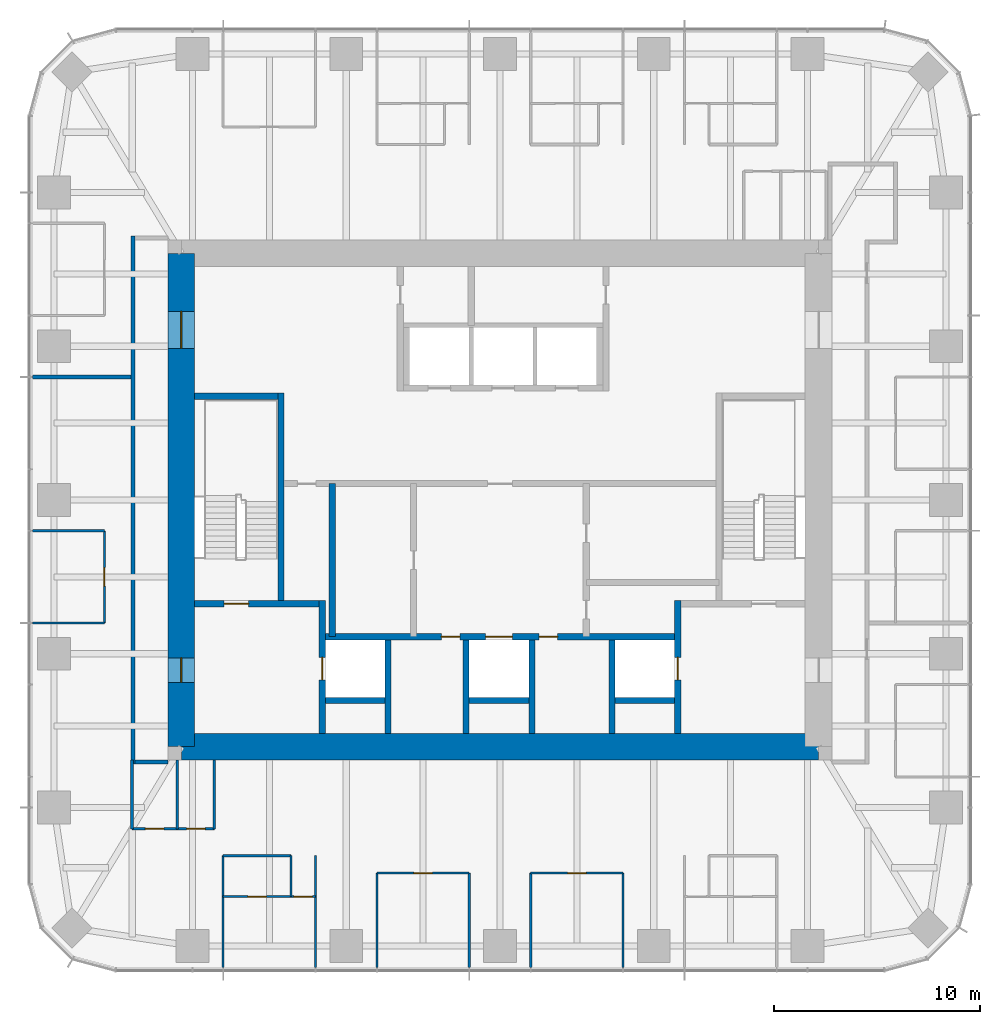
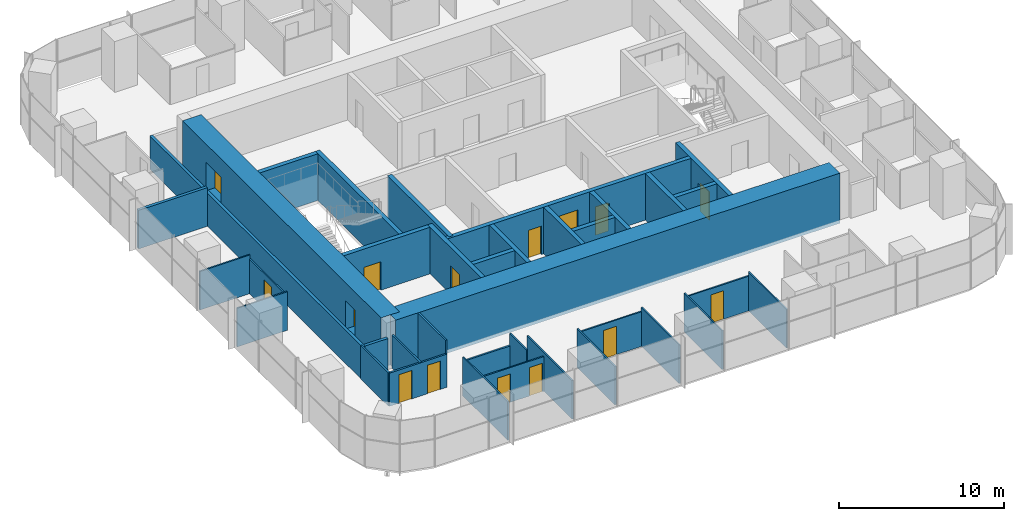
# One storey, part 9 of 13: 37 walls, 15 doors, 15 openings.
"""IFC4 building model written with IfcOpenShell, lengths in metres."""

from ifc_helpers import new_model, si_unit, direction, frame, frame_2d, origin, place, context, subcontext, project, spatial, rectangle, extrude, material, layer, layer_set, type_object, element, fill, save


model = new_model("IFC4")

# Units and contexts
model_context = context("Model", 3, precision=1e-05, world=origin(), true_north=direction((0.0, 1.0)))
body_context = subcontext(model_context, "Body", "Model", "MODEL_VIEW")
ifc_project = project(units=[si_unit("LENGTHUNIT", "METRE"), si_unit("AREAUNIT", "SQUARE_METRE"), si_unit("VOLUMEUNIT", "CUBIC_METRE"), si_unit("PLANEANGLEUNIT", "RADIAN"), si_unit("MASSUNIT", "GRAM", prefix="KILO")], contexts=[model_context])

# Site, building, storey
site_placement = place(None, origin())
site = spatial("IfcSite", under=ifc_project, at=site_placement, CompositionType="ELEMENT")
building_placement = place(site_placement, origin())
building = spatial("IfcBuilding", under=site, at=building_placement, Name="Khuree Lantern Residences", CompositionType="ELEMENT")
storey_placement = place(building_placement, frame((0.0, 0.0, 349.5)))
storey = spatial("IfcBuildingStorey", under=building, at=storey_placement, Name="L88", CompositionType="ELEMENT", Elevation=349.5)

# Wall
ifc_material_1 = material(Name="Moisture-resistant gypsum board on steel studs", Category="steel")
ifc_layer_1 = layer(ifc_material_1, 0.125)
ifc_layer_set_1 = layer_set([ifc_layer_1], Name="BATHROOM WALL BTW125")
wall_type_1 = type_object("IfcWallType", Name="BATHROOM WALL BTW125", PredefinedType="PARTITIONING", material=ifc_layer_set_1)
wall_1_placement = place(storey_placement, frame((-13.464111328125, -17.29638671875, 0.0), z_axis=(0.0, 0.0, 1.0), x_axis=(1.0, 0.0, 0.0)))
element("IfcWall", 1, at=wall_1_placement, inside=storey, type_object=wall_type_1, Name="L88 BATHROOM WALL 02", PredefinedType="PARTITIONING", context=body_context, shape_type="SweptSolid", body=[
    extrude(rectangle(XDim=3.2880859375, YDim=0.125, at=frame_2d((1.64404296875, 0.0))), origin(), (0.0, 0.0, 1.0), 2.56005859375),
])

# Wall, openings, doors
wall_2_placement = place(storey_placement, frame((-17.89990234375, -15.996337890625, 0.0), z_axis=(0.0, 0.0, 1.0), x_axis=(1.0, 0.0, 0.0)))
wall_2 = element("IfcWall", 2, at=wall_2_placement, inside=storey, type_object=wall_type_1, Name="L88 BATHROOM WALL 02", PredefinedType="PARTITIONING", context=body_context, shape_type="SweptSolid", body=[
    extrude(rectangle(XDim=4.0, YDim=0.125, at=frame_2d((2.0, 0.0))), origin(), (0.0, 0.0, 1.0), 2.449951171875),
])
opening_1_placement = place(wall_2_placement, frame((0.64990234375, 0.0, 0.0)))
opening_1 = element("IfcOpeningElement", 3, at=opening_1_placement, cuts=wall_2, Name="Opening 88-043", PredefinedType="OPENING", context=body_context, shape_type="SweptSolid", body=[
    extrude(rectangle(XDim=0.89990234375, YDim=2.10009765625, at=frame_2d((0.449951171875, 1.050048828125))), frame((0.0, 0.072509765625, 0.0), z_axis=(0.0, -1.0, 0.0), x_axis=(1.0, 0.0, 0.0)), (0.0, 0.0, 1.0), 0.14501953125),
])
opening_2_placement = place(wall_2_placement, frame((2.64990234375, 0.0, 0.0)))
opening_2 = element("IfcOpeningElement", 4, at=opening_2_placement, cuts=wall_2, Name="Opening 88-044", PredefinedType="OPENING", context=body_context, shape_type="SweptSolid", body=[
    extrude(rectangle(XDim=0.89990234375, YDim=2.10009765625, at=frame_2d((0.449951171875, 1.050048828125))), frame((0.0, 0.072509765625, 0.0), z_axis=(0.0, -1.0, 0.0), x_axis=(1.0, 0.0, 0.0)), (0.0, 0.0, 1.0), 0.14501953125),
])
ifc_material_2 = material(Name="Timber door leaf in hardwood frame", Category="wood")
door_type_1 = type_object("IfcDoorType", Name="BATHROOM DOOR 900X2100", OperationType="SINGLE_SWING_LEFT", PredefinedType="DOOR", material=ifc_material_2)
door_1_placement = place(opening_1_placement, origin())
door_1 = element("IfcDoor", 5, at=door_1_placement, inside=storey, type_object=door_type_1, Name="Bathroom door 88-043", OperationType="SINGLE_SWING_LEFT", OverallHeight=2.10009765625, OverallWidth=0.89990234375, PredefinedType="DOOR", context=body_context, shape_type="SweptSolid", body=[
    extrude(rectangle(XDim=0.89990234375, YDim=2.10009765625, at=frame_2d((0.449951171875, 1.050048828125))), frame((0.0, 0.02490234375, 0.0), z_axis=(0.0, -1.0, 0.0), x_axis=(1.0, 0.0, 0.0)), (0.0, 0.0, 1.0), 0.050048828125),
])
fill(opening_1, door_1)
door_type_2 = type_object("IfcDoorType", Name="DOOR 900X2100", OperationType="SINGLE_SWING_LEFT", PredefinedType="DOOR", material=ifc_material_2)
door_2_placement = place(opening_2_placement, origin())
door_2 = element("IfcDoor", 6, at=door_2_placement, inside=storey, type_object=door_type_2, Name="Store door 88-044", OperationType="SINGLE_SWING_LEFT", OverallHeight=2.10009765625, OverallWidth=0.89990234375, PredefinedType="DOOR", context=body_context, shape_type="SweptSolid", body=[
    extrude(rectangle(XDim=0.89990234375, YDim=2.10009765625, at=frame_2d((0.449951171875, 1.050048828125))), frame((0.0, 0.02490234375, 0.0), z_axis=(0.0, -1.0, 0.0), x_axis=(1.0, 0.0, 0.0)), (0.0, 0.0, 1.0), 0.050048828125),
])
fill(opening_2, door_2)

# Walls
for number, where, z_axis, x_axis, name in (
    (7, (-17.89990234375, -12.64990234375, 0.0), (0.0, 0.0, 1.0), (0.0, -1.0, 0.0), "L88 BATHROOM WALL 02"),
    (8, (-15.699951171875, -12.64990234375, 0.0), (0.0, 0.0, 1.0), (0.0, -1.0, 0.0), "L88 BATHROOM WALL 02"),
):
    element("IfcWall", number, at=place(storey_placement, frame(where, z_axis=z_axis, x_axis=x_axis)), inside=storey, type_object=wall_type_1, Name=name, PredefinedType="PARTITIONING", context=body_context, shape_type="SweptSolid", body=[
        extrude(rectangle(XDim=3.346435546875, YDim=0.125, at=frame_2d((1.67333984375, 0.0))), origin(), (0.0, 0.0, 1.0), 2.449951171875),
    ])
wall_3_placement = place(storey_placement, frame((-13.89990234375, -12.64990234375, 0.0), z_axis=(0.0, 0.0, 1.0), x_axis=(0.0, -1.0, 0.0)))
element("IfcWall", 9, at=wall_3_placement, inside=storey, type_object=wall_type_1, Name="L88 BATHROOM WALL 02", PredefinedType="PARTITIONING", context=body_context, shape_type="SweptSolid", body=[
    extrude(rectangle(XDim=3.346435546875, YDim=0.125, at=frame_2d((1.67333984375, 0.0))), origin(), (0.0, 0.0, 1.0), 3.449951171875),
])

# Wall, opening, door
ifc_material_3 = material(Name="Dense concrete blockwork", Category="masonry")
ifc_layer_2 = layer(ifc_material_3, 0.300048828125)
ifc_layer_set_2 = layer_set([ifc_layer_2], Name="CORE PARTITION WALL CPW300 EI 120")
wall_type_2 = type_object("IfcWallType", Name="CORE PARTITION WALL CPW300 EI 120", PredefinedType="PARTITIONING", material=ifc_layer_set_2)
wall_4_placement = place(storey_placement, frame((-8.64990234375, -11.35009765625, 0.0), z_axis=(0.0, 0.0, 1.0), x_axis=(0.0, 1.0, 0.0)))
wall_4 = element("IfcWall", 10, at=wall_4_placement, inside=storey, type_object=wall_type_2, Name="L88 CORE WALL FL1W", PredefinedType="PARTITIONING", context=body_context, shape_type="SweptSolid", body=[
    extrude(rectangle(XDim=6.4501953125, YDim=0.300048828125, at=frame_2d((3.22509765625, 0.0))), origin(), (0.0, 0.0, 1.0), 3.449951171875),
])
opening_3_placement = place(wall_4_placement, frame((2.60009765625, 0.0, 0.0)))
opening_3 = element("IfcOpeningElement", 11, at=opening_3_placement, cuts=wall_4, Name="Opening 88-007", PredefinedType="OPENING", context=body_context, shape_type="SweptSolid", body=[
    extrude(rectangle(XDim=1.10009765625, YDim=2.10009765625, at=frame_2d((0.550048828125, 1.050048828125))), frame((0.0, 0.16015625, 0.0), z_axis=(0.0, -1.0, 0.0), x_axis=(1.0, 0.0, 0.0)), (0.0, 0.0, 1.0), 0.320068359375),
])
ifc_material_4 = material(Name="Stainless steel lift landing door", Category="steel")
door_type_3 = type_object("IfcDoorType", Name="LIFT LANDING DOOR 1100X2100 E 120", OperationType="DOUBLE_DOOR_SLIDING", PredefinedType="DOOR", material=ifc_material_4)
door_3_placement = place(opening_3_placement, origin())
door_3 = element("IfcDoor", 12, at=door_3_placement, inside=storey, type_object=door_type_3, Name="Landing door FL1 88-007", OperationType="DOUBLE_DOOR_SLIDING", OverallHeight=2.10009765625, OverallWidth=1.10009765625, PredefinedType="DOOR", context=body_context, shape_type="SweptSolid", body=[
    extrude(rectangle(XDim=1.10009765625, YDim=2.10009765625, at=frame_2d((0.550048828125, 1.050048828125))), frame((0.0, 0.02490234375, 0.0), z_axis=(0.0, -1.0, 0.0), x_axis=(1.0, 0.0, 0.0)), (0.0, 0.0, 1.0), 0.050048828125),
])
fill(opening_3, door_3)

wall_5_placement = place(storey_placement, frame((8.64990234375, -11.35009765625, 0.0), z_axis=(0.0, 0.0, 1.0), x_axis=(0.0, 1.0, 0.0)))
wall_5 = element("IfcWall", 13, at=wall_5_placement, inside=storey, type_object=wall_type_2, Name="L88 CORE WALL FL2E", PredefinedType="PARTITIONING", context=body_context, shape_type="SweptSolid", body=[
    extrude(rectangle(XDim=6.4501953125, YDim=0.300048828125, at=frame_2d((3.22509765625, 0.0))), origin(), (0.0, 0.0, 1.0), 3.449951171875),
])
opening_4_placement = place(wall_5_placement, frame((2.60009765625, 0.0, 0.0)))
opening_4 = element("IfcOpeningElement", 14, at=opening_4_placement, cuts=wall_5, Name="Opening 88-008", PredefinedType="OPENING", context=body_context, shape_type="SweptSolid", body=[
    extrude(rectangle(XDim=1.10009765625, YDim=2.10009765625, at=frame_2d((0.550048828125, 1.050048828125))), frame((0.0, 0.16015625, 0.0), z_axis=(0.0, -1.0, 0.0), x_axis=(1.0, 0.0, 0.0)), (0.0, 0.0, 1.0), 0.320068359375),
])
door_4_placement = place(opening_4_placement, origin())
door_4 = element("IfcDoor", 15, at=door_4_placement, inside=storey, type_object=door_type_3, Name="Landing door FL2 88-008", OperationType="DOUBLE_DOOR_SLIDING", OverallHeight=2.10009765625, OverallWidth=1.10009765625, PredefinedType="DOOR", context=body_context, shape_type="SweptSolid", body=[
    extrude(rectangle(XDim=1.10009765625, YDim=2.10009765625, at=frame_2d((0.550048828125, 1.050048828125))), frame((0.0, 0.02490234375, 0.0), z_axis=(0.0, -1.0, 0.0), x_axis=(1.0, 0.0, 0.0)), (0.0, 0.0, 1.0), 0.050048828125),
])
fill(opening_4, door_4)

# Wall, openings, doors
wall_6_placement = place(storey_placement, frame((-8.5, -6.64990234375, 0.0), z_axis=(0.0, 0.0, 1.0), x_axis=(1.0, 0.0, 0.0)))
wall_6 = element("IfcWall", 16, at=wall_6_placement, inside=storey, type_object=wall_type_2, Name="L88 CORE WALL FLROW", PredefinedType="PARTITIONING", context=body_context, shape_type="SweptSolid", body=[
    extrude(rectangle(XDim=17.0, YDim=0.300048828125, at=frame_2d((8.5, 0.0))), origin(), (0.0, 0.0, 1.0), 3.449951171875),
])
opening_5_placement = place(wall_6_placement, frame((7.800048828125, 0.0, 0.0)))
opening_5 = element("IfcOpeningElement", 17, at=opening_5_placement, cuts=wall_6, Name="Opening 88-012", PredefinedType="OPENING", context=body_context, shape_type="SweptSolid", body=[
    extrude(rectangle(XDim=1.300048828125, YDim=2.39990234375, at=frame_2d((0.64990234375, 1.199951171875))), frame((0.0, 0.16015625, 0.0), z_axis=(0.0, -1.0, 0.0), x_axis=(1.0, 0.0, 0.0)), (0.0, 0.0, 1.0), 0.320068359375),
])
opening_6_placement = place(wall_6_placement, frame((5.64990234375, 0.0, 0.0)))
opening_6 = element("IfcOpeningElement", 18, at=opening_6_placement, cuts=wall_6, Name="Opening 88-014", PredefinedType="OPENING", context=body_context, shape_type="SweptSolid", body=[
    extrude(rectangle(XDim=0.89990234375, YDim=2.10009765625, at=frame_2d((0.449951171875, 1.050048828125))), frame((0.0, 0.16015625, 0.0), z_axis=(0.0, -1.0, 0.0), x_axis=(1.0, 0.0, 0.0)), (0.0, 0.0, 1.0), 0.320068359375),
])
opening_7_placement = place(wall_6_placement, frame((10.39990234375, 0.0, 0.0)))
opening_7 = element("IfcOpeningElement", 19, at=opening_7_placement, cuts=wall_6, Name="Opening 88-015", PredefinedType="OPENING", context=body_context, shape_type="SweptSolid", body=[
    extrude(rectangle(XDim=0.89990234375, YDim=2.10009765625, at=frame_2d((0.449951171875, 1.050048828125))), frame((0.0, 0.16015625, 0.0), z_axis=(0.0, -1.0, 0.0), x_axis=(1.0, 0.0, 0.0)), (0.0, 0.0, 1.0), 0.320068359375),
])
ifc_material_5 = material(Name="Steel door leaf in steel frame", Category="steel")
door_type_4 = type_object("IfcDoorType", Name="DOOR 900X2100 EI 60", OperationType="SINGLE_SWING_LEFT", PredefinedType="DOOR", material=ifc_material_5)
door_5_placement = place(opening_6_placement, origin())
door_5 = element("IfcDoor", 20, at=door_5_placement, inside=storey, type_object=door_type_4, Name="Refuse chute room door 88-014", OperationType="SINGLE_SWING_LEFT", OverallHeight=2.10009765625, OverallWidth=0.89990234375, PredefinedType="DOOR", context=body_context, shape_type="SweptSolid", body=[
    extrude(rectangle(XDim=0.89990234375, YDim=2.10009765625, at=frame_2d((0.449951171875, 1.050048828125))), frame((0.0, 0.02490234375, 0.0), z_axis=(0.0, -1.0, 0.0), x_axis=(1.0, 0.0, 0.0)), (0.0, 0.0, 1.0), 0.050048828125),
])
fill(opening_6, door_5)
door_type_5 = type_object("IfcDoorType", Name="DOOR 900X2100 EI 60 RIGHT HAND", OperationType="SINGLE_SWING_RIGHT", PredefinedType="DOOR", material=ifc_material_5)
door_6_placement = place(opening_7_placement, origin())
door_6 = element("IfcDoor", 21, at=door_6_placement, inside=storey, type_object=door_type_5, Name="Electrical and plumbing riser door 88-015", OperationType="SINGLE_SWING_RIGHT", OverallHeight=2.10009765625, OverallWidth=0.89990234375, PredefinedType="DOOR", context=body_context, shape_type="SweptSolid", body=[
    extrude(rectangle(XDim=0.89990234375, YDim=2.10009765625, at=frame_2d((0.449951171875, 1.050048828125))), frame((0.0, 0.02490234375, 0.0), z_axis=(0.0, -1.0, 0.0), x_axis=(1.0, 0.0, 0.0)), (0.0, 0.0, 1.0), 0.050048828125),
])
fill(opening_7, door_6)
door_type_6 = type_object("IfcDoorType", Name="LIFT LANDING DOOR 1300X2400 E 60", OperationType="DOUBLE_DOOR_SLIDING", PredefinedType="DOOR", material=ifc_material_4)
door_7_placement = place(opening_5_placement, origin())
door_7 = element("IfcDoor", 22, at=door_7_placement, inside=storey, type_object=door_type_6, Name="Landing door SL1 88-012", OperationType="DOUBLE_DOOR_SLIDING", OverallHeight=2.39990234375, OverallWidth=1.300048828125, PredefinedType="DOOR", context=body_context, shape_type="SweptSolid", body=[
    extrude(rectangle(XDim=1.300048828125, YDim=2.39990234375, at=frame_2d((0.64990234375, 1.199951171875))), frame((0.0, 0.02490234375, 0.0), z_axis=(0.0, -1.0, 0.0), x_axis=(1.0, 0.0, 0.0)), (0.0, 0.0, 1.0), 0.050048828125),
])
fill(opening_5, door_7)

# Walls
for number, where, z_axis, x_axis, name in (
    (23, (-5.449951171875, -11.35009765625, 0.0), (0.0, 0.0, 1.0), (0.0, 1.0, 0.0), "L88 CORE WALL FL1E"),
    (24, (-1.64990234375, -11.35009765625, 0.0), (0.0, 0.0, 1.0), (0.0, 1.0, 0.0), "L88 CORE WALL SL1W"),
    (25, (1.550048828125, -11.35009765625, 0.0), (0.0, 0.0, 1.0), (0.0, 1.0, 0.0), "L88 CORE WALL SL1E"),
    (26, (5.449951171875, -11.35009765625, 0.0), (0.0, 0.0, 1.0), (0.0, 1.0, 0.0), "L88 CORE WALL FL2W"),
):
    element("IfcWall", number, at=place(storey_placement, frame(where, z_axis=z_axis, x_axis=x_axis)), inside=storey, type_object=wall_type_2, Name=name, PredefinedType="PARTITIONING", context=body_context, shape_type="SweptSolid", body=[
        extrude(rectangle(XDim=4.550048828125, YDim=0.300048828125, at=frame_2d((2.27490234375, 0.0))), origin(), (0.0, 0.0, 1.0), 3.449951171875),
    ])
for number, where, z_axis, x_axis, name in (
    (27, (-8.5, -9.75, 0.0), (0.0, 0.0, 1.0), (1.0, 0.0, 0.0), "L88 CORE WALL FL1S"),
    (28, (-1.5, -9.75, 0.0), (0.0, 0.0, 1.0), (1.0, 0.0, 0.0), "L88 CORE WALL SL1S"),
    (29, (5.60009765625, -9.75, 0.0), (0.0, 0.0, 1.0), (1.0, 0.0, 0.0), "L88 CORE WALL FL2S"),
):
    element("IfcWall", number, at=place(storey_placement, frame(where, z_axis=z_axis, x_axis=x_axis)), inside=storey, type_object=wall_type_2, Name=name, PredefinedType="PARTITIONING", context=body_context, shape_type="SweptSolid", body=[
        extrude(rectangle(XDim=2.89990234375, YDim=0.300048828125, at=frame_2d((1.449951171875, 0.0))), origin(), (0.0, 0.0, 1.0), 3.449951171875),
    ])
wall_7_placement = place(storey_placement, frame((-8.1630859375, -6.64990234375, 0.0), z_axis=(0.0, 0.0, 1.0), x_axis=(0.0, 1.0, 0.0)))
element("IfcWall", 30, at=wall_7_placement, inside=storey, type_object=wall_type_2, Name="L88 CORE WALL WV", PredefinedType="PARTITIONING", context=body_context, shape_type="SweptSolid", body=[
    extrude(rectangle(XDim=7.449951171875, YDim=0.300048828125, at=frame_2d((3.72509765625, 0.0))), origin(), (0.0, 0.0, 1.0), 3.449951171875),
])
ifc_material_6 = material(Name="Gypsum board on steel studs", Category="steel")
ifc_layer_3 = layer(ifc_material_6, 0.199951171875)
ifc_layer_set_3 = layer_set([ifc_layer_3], Name="CORRIDOR WALL CRW200 EI 60")
wall_type_3 = type_object("IfcWallType", Name="CORRIDOR WALL CRW200 EI 60", PredefinedType="PARTITIONING", material=ifc_layer_set_3)
wall_8_placement = place(storey_placement, frame((-16.14990234375, -12.75, 0.0), z_axis=(0.0, 0.0, 1.0), x_axis=(-1.0, 0.0, 0.0)))
element("IfcWall", 31, at=wall_8_placement, inside=storey, type_object=wall_type_3, Name="L88 WEST CORRIDOR SOUTH END WALL", PredefinedType="PARTITIONING", context=body_context, shape_type="SweptSolid", body=[
    extrude(rectangle(XDim=1.60009765625, YDim=0.199951171875, at=frame_2d((0.800048828125, 0.0))), origin(), (0.0, 0.0, 1.0), 2.449951171875),
])
wall_9_placement = place(storey_placement, frame((-17.85009765625, 12.85009765625, 0.0), z_axis=(0.0, 0.0, 1.0), x_axis=(0.0, -1.0, 0.0)))
element("IfcWall", 32, at=wall_9_placement, inside=storey, type_object=wall_type_3, Name="L88 CORRIDOR WALL WEST 1", PredefinedType="PARTITIONING", context=body_context, shape_type="SweptSolid", body=[
    extrude(rectangle(XDim=25.7001953125, YDim=0.199951171875, at=frame_2d((12.85009765625, 0.0))), origin(), (0.0, 0.0, 1.0), 2.449951171875),
])
ifc_material_7 = material(Name="Concrete C50/60", Category="concrete")
ifc_layer_4 = layer(ifc_material_7, 1.300048828125)
ifc_layer_set_4 = layer_set([ifc_layer_4], Name="CW1300-C50 CORE WALL C50 1300")
wall_type_4 = type_object("IfcWallType", Name="CW1300-C50 CORE WALL C50 1300", PredefinedType="SHEAR", material=ifc_layer_set_4)
wall_10_placement = place(storey_placement, frame((-15.5, -12.0, -0.25), z_axis=(0.0, 0.0, 1.0), x_axis=(1.0, 0.0, 0.0)))
element("IfcWall", 33, at=wall_10_placement, inside=storey, type_object=wall_type_4, Name="Core wall S", PredefinedType="SHEAR", context=body_context, shape_type="SweptSolid", body=[
    extrude(rectangle(XDim=31.0, YDim=1.300048828125, at=frame_2d((15.5, 0.0))), origin(), (0.0, 0.0, 1.0), 3.699951171875),
])

# Wall, openings, doors
wall_11_placement = place(storey_placement, frame((-15.5, -12.0, -0.25), z_axis=(0.0, 0.0, 1.0), x_axis=(0.0, 1.0, 0.0)))
wall_11 = element("IfcWall", 34, at=wall_11_placement, inside=storey, type_object=wall_type_4, Name="Core wall W", PredefinedType="SHEAR", context=body_context, shape_type="SweptSolid", body=[
    extrude(rectangle(XDim=24.0, YDim=1.300048828125, at=frame_2d((12.0, 0.0))), origin(), (0.0, 0.0, 1.0), 3.699951171875),
])
opening_8_placement = place(wall_11_placement, frame((3.125, 0.0, 0.25)))
opening_8 = element("IfcOpeningElement", 35, at=opening_8_placement, cuts=wall_11, Name="Opening 88-002", PredefinedType="OPENING", context=body_context, shape_type="SweptSolid", body=[
    extrude(rectangle(XDim=1.199951171875, YDim=2.10009765625, at=frame_2d((0.60009765625, 1.050048828125))), frame((0.0, 0.66015625, 0.0), z_axis=(0.0, -1.0, 0.0), x_axis=(1.0, 0.0, 0.0)), (0.0, 0.0, 1.0), 1.320068359375),
])
opening_9_placement = place(wall_11_placement, frame((19.375, 0.0, 0.25)))
opening_9 = element("IfcOpeningElement", 36, at=opening_9_placement, cuts=wall_11, Name="Opening 88-003", PredefinedType="OPENING", context=body_context, shape_type="SweptSolid", body=[
    extrude(rectangle(XDim=1.800048828125, YDim=2.10009765625, at=frame_2d((0.89990234375, 1.050048828125))), frame((0.0, 0.66015625, 0.0), z_axis=(0.0, -1.0, 0.0), x_axis=(1.0, 0.0, 0.0)), (0.0, 0.0, 1.0), 1.320068359375),
])
door_type_7 = type_object("IfcDoorType", Name="LOBBY DOOR 1200X2100 EI 120", OperationType="SINGLE_SWING_LEFT", PredefinedType="DOOR", material=ifc_material_5)
door_8_placement = place(opening_8_placement, origin())
door_8 = element("IfcDoor", 37, at=door_8_placement, inside=storey, type_object=door_type_7, Name="Firefighting lobby door 88-002", OperationType="SINGLE_SWING_LEFT", OverallHeight=2.10009765625, OverallWidth=1.199951171875, PredefinedType="DOOR", context=body_context, shape_type="SweptSolid", body=[
    extrude(rectangle(XDim=1.199951171875, YDim=2.10009765625, at=frame_2d((0.60009765625, 1.050048828125))), frame((0.0, 0.02490234375, 0.0), z_axis=(0.0, -1.0, 0.0), x_axis=(1.0, 0.0, 0.0)), (0.0, 0.0, 1.0), 0.050048828125),
])
fill(opening_8, door_8)
door_type_8 = type_object("IfcDoorType", Name="LOBBY DOUBLE DOOR 1800X2100 EI 60", OperationType="DOUBLE_DOOR_SINGLE_SWING", PredefinedType="DOOR", material=ifc_material_5)
door_9_placement = place(opening_9_placement, origin())
door_9 = element("IfcDoor", 38, at=door_9_placement, inside=storey, type_object=door_type_8, Name="Lift lobby door 88-003", OperationType="DOUBLE_DOOR_SINGLE_SWING", OverallHeight=2.10009765625, OverallWidth=1.800048828125, PredefinedType="DOOR", context=body_context, shape_type="SweptSolid", body=[
    extrude(rectangle(XDim=1.800048828125, YDim=2.10009765625, at=frame_2d((0.89990234375, 1.050048828125))), frame((0.0, 0.02490234375, 0.0), z_axis=(0.0, -1.0, 0.0), x_axis=(1.0, 0.0, 0.0)), (0.0, 0.0, 1.0), 0.050048828125),
])
fill(opening_9, door_9)

# Walls
ifc_layer_5 = layer(ifc_material_6, 0.199951171875)
ifc_layer_set_5 = layer_set([ifc_layer_5], Name="DEMISING WALL DMW200 EI 90")
wall_type_5 = type_object("IfcWallType", Name="DEMISING WALL DMW200 EI 90", PredefinedType="PARTITIONING", material=ifc_layer_set_5)
wall_12_placement = place(storey_placement, frame((-17.949951171875, 5.98388671875, 0.0), z_axis=(0.0, 0.0, 1.0), x_axis=(-1.0, 0.0, 0.0)))
element("IfcWall", 39, at=wall_12_placement, inside=storey, type_object=wall_type_5, Name="L88 DEMISING WALL 02", PredefinedType="PARTITIONING", context=body_context, shape_type="SweptSolid", body=[
    extrude(rectangle(XDim=4.800048828125, YDim=0.199951171875, at=frame_2d((2.39990234375, 0.0))), origin(), (0.0, 0.0, 1.0), 2.85009765625),
])
ifc_layer_6 = layer(ifc_material_6, 0.10009765625)
ifc_layer_set_6 = layer_set([ifc_layer_6], Name="PARTITION PT100")
wall_type_6 = type_object("IfcWallType", Name="PARTITION PT100", PredefinedType="PARTITIONING", material=ifc_layer_set_6)
for number, where, z_axis, x_axis, name in (
    (40, (-19.25, -1.49609375, 0.0), (0.0, 0.0, 1.0), (-1.0, 0.0, 0.0), "L88 PARTITION 02"),
    (41, (-19.25, -5.98388671875, 0.0), (0.0, 0.0, 1.0), (-1.0, 0.0, 0.0), "L88 PARTITION 02"),
):
    element("IfcWall", number, at=place(storey_placement, frame(where, z_axis=z_axis, x_axis=x_axis)), inside=storey, type_object=wall_type_6, Name=name, PredefinedType="PARTITIONING", context=body_context, shape_type="SweptSolid", body=[
        extrude(rectangle(XDim=3.5, YDim=0.10009765625, at=frame_2d((1.75, 0.0))), origin(), (0.0, 0.0, 1.0), 2.85009765625),
    ])
for number, where, z_axis, x_axis, name in (
    (42, (-13.464111328125, -17.29638671875, 0.0), (0.0, 0.0, 1.0), (0.0, -1.0, 0.0), "L88 PARTITION 02"),
    (43, (-8.97607421875, -17.29638671875, 0.0), (0.0, 0.0, 1.0), (0.0, -1.0, 0.0), "L88 PARTITION 02"),
):
    element("IfcWall", number, at=place(storey_placement, frame(where, z_axis=z_axis, x_axis=x_axis)), inside=storey, type_object=wall_type_6, Name=name, PredefinedType="PARTITIONING", context=body_context, shape_type="SweptSolid", body=[
        extrude(rectangle(XDim=5.45361328125, YDim=0.10009765625, at=frame_2d((2.726806640625, 0.0))), origin(), (0.0, 0.0, 1.0), 2.85009765625),
    ])
for number, where, z_axis, x_axis, name in (
    (44, (-5.98388671875, -18.14990234375, 0.0), (0.0, 0.0, 1.0), (0.0, -1.0, 0.0), "L88 PARTITION 02"),
    (45, (-1.49609375, -18.14990234375, 0.0), (0.0, 0.0, 1.0), (0.0, -1.0, 0.0), "L88 PARTITION 02"),
    (46, (1.49609375, -18.14990234375, 0.0), (0.0, 0.0, 1.0), (0.0, -1.0, 0.0), "L88 PARTITION 02"),
    (47, (5.98388671875, -18.14990234375, 0.0), (0.0, 0.0, 1.0), (0.0, -1.0, 0.0), "L88 PARTITION 02"),
):
    element("IfcWall", number, at=place(storey_placement, frame(where, z_axis=z_axis, x_axis=x_axis)), inside=storey, type_object=wall_type_6, Name=name, PredefinedType="PARTITIONING", context=body_context, shape_type="SweptSolid", body=[
        extrude(rectangle(XDim=4.60009765625, YDim=0.10009765625, at=frame_2d((2.300048828125, 0.0))), origin(), (0.0, 0.0, 1.0), 2.85009765625),
    ])

# Wall, opening, door
wall_13_placement = place(storey_placement, frame((-19.25, -1.49609375, 0.0), z_axis=(0.0, 0.0, 1.0), x_axis=(0.0, -1.0, 0.0)))
wall_13 = element("IfcWall", 48, at=wall_13_placement, inside=storey, type_object=wall_type_6, Name="L88 PARTITION 02", PredefinedType="PARTITIONING", context=body_context, shape_type="SweptSolid", body=[
    extrude(rectangle(XDim=4.48779296875, YDim=0.10009765625, at=frame_2d((2.243896484375, 0.0))), origin(), (0.0, 0.0, 1.0), 2.56005859375),
])
opening_10_placement = place(wall_13_placement, frame((1.7939453125, 0.0, 0.0)))
opening_10 = element("IfcOpeningElement", 49, at=opening_10_placement, cuts=wall_13, Name="Opening 88-035", PredefinedType="OPENING", context=body_context, shape_type="SweptSolid", body=[
    extrude(rectangle(XDim=0.89990234375, YDim=2.10009765625, at=frame_2d((0.449951171875, 1.050048828125))), frame((0.0, 0.06005859375, 0.0), z_axis=(0.0, -1.0, 0.0), x_axis=(1.0, 0.0, 0.0)), (0.0, 0.0, 1.0), 0.1201171875),
])
door_type_9 = type_object("IfcDoorType", Name="BEDROOM DOOR 900X2100", OperationType="SINGLE_SWING_LEFT", PredefinedType="DOOR", material=ifc_material_2)
door_10_placement = place(opening_10_placement, origin())
door_10 = element("IfcDoor", 50, at=door_10_placement, inside=storey, type_object=door_type_9, Name="Bedroom door 88-035", OperationType="SINGLE_SWING_LEFT", OverallHeight=2.10009765625, OverallWidth=0.89990234375, PredefinedType="DOOR", context=body_context, shape_type="SweptSolid", body=[
    extrude(rectangle(XDim=0.89990234375, YDim=2.10009765625, at=frame_2d((0.449951171875, 1.050048828125))), frame((0.0, 0.02490234375, 0.0), z_axis=(0.0, -1.0, 0.0), x_axis=(1.0, 0.0, 0.0)), (0.0, 0.0, 1.0), 0.050048828125),
])
fill(opening_10, door_10)

# Wall, openings, doors
wall_14_placement = place(storey_placement, frame((-13.464111328125, -19.29638671875, 0.0), z_axis=(0.0, 0.0, 1.0), x_axis=(1.0, 0.0, 0.0)))
wall_14 = element("IfcWall", 51, at=wall_14_placement, inside=storey, type_object=wall_type_6, Name="L88 PARTITION 02", PredefinedType="PARTITIONING", context=body_context, shape_type="SweptSolid", body=[
    extrude(rectangle(XDim=4.488037109375, YDim=0.10009765625, at=frame_2d((2.244140625, 0.0))), origin(), (0.0, 0.0, 1.0), 2.56005859375),
])
opening_11_placement = place(wall_14_placement, frame((3.43798828125, 0.0, 0.0)))
opening_11 = element("IfcOpeningElement", 52, at=opening_11_placement, cuts=wall_14, Name="Opening 88-036", PredefinedType="OPENING", context=body_context, shape_type="SweptSolid", body=[
    extrude(rectangle(XDim=0.89990234375, YDim=2.10009765625, at=frame_2d((0.449951171875, 1.050048828125))), frame((0.0, 0.06005859375, 0.0), z_axis=(0.0, -1.0, 0.0), x_axis=(1.0, 0.0, 0.0)), (0.0, 0.0, 1.0), 0.1201171875),
])
opening_12_placement = place(wall_14_placement, frame((1.194091796875, 0.0, 0.0)))
opening_12 = element("IfcOpeningElement", 53, at=opening_12_placement, cuts=wall_14, Name="Opening 88-037", PredefinedType="OPENING", context=body_context, shape_type="SweptSolid", body=[
    extrude(rectangle(XDim=0.89990234375, YDim=2.10009765625, at=frame_2d((0.449951171875, 1.050048828125))), frame((0.0, 0.06005859375, 0.0), z_axis=(0.0, -1.0, 0.0), x_axis=(1.0, 0.0, 0.0)), (0.0, 0.0, 1.0), 0.1201171875),
])
door_11_placement = place(opening_12_placement, origin())
door_11 = element("IfcDoor", 54, at=door_11_placement, inside=storey, type_object=door_type_1, Name="Bathroom door 88-037", OperationType="SINGLE_SWING_LEFT", OverallHeight=2.10009765625, OverallWidth=0.89990234375, PredefinedType="DOOR", context=body_context, shape_type="SweptSolid", body=[
    extrude(rectangle(XDim=0.89990234375, YDim=2.10009765625, at=frame_2d((0.449951171875, 1.050048828125))), frame((0.0, 0.02490234375, 0.0), z_axis=(0.0, -1.0, 0.0), x_axis=(1.0, 0.0, 0.0)), (0.0, 0.0, 1.0), 0.050048828125),
])
fill(opening_12, door_11)
door_12_placement = place(opening_11_placement, origin())
door_12 = element("IfcDoor", 55, at=door_12_placement, inside=storey, type_object=door_type_9, Name="Bedroom door 88-036", OperationType="SINGLE_SWING_LEFT", OverallHeight=2.10009765625, OverallWidth=0.89990234375, PredefinedType="DOOR", context=body_context, shape_type="SweptSolid", body=[
    extrude(rectangle(XDim=0.89990234375, YDim=2.10009765625, at=frame_2d((0.449951171875, 1.050048828125))), frame((0.0, 0.02490234375, 0.0), z_axis=(0.0, -1.0, 0.0), x_axis=(1.0, 0.0, 0.0)), (0.0, 0.0, 1.0), 0.050048828125),
])
fill(opening_11, door_12)

# Wall
wall_15_placement = place(storey_placement, frame((-10.176025390625, -17.29638671875, 0.0), z_axis=(0.0, 0.0, 1.0), x_axis=(0.0, -1.0, 0.0)))
element("IfcWall", 56, at=wall_15_placement, inside=storey, type_object=wall_type_6, Name="L88 PARTITION 02", PredefinedType="PARTITIONING", context=body_context, shape_type="SweptSolid", body=[
    extrude(rectangle(XDim=2.0, YDim=0.10009765625, at=frame_2d((1.0, 0.0))), origin(), (0.0, 0.0, 1.0), 3.449951171875),
])

# Wall, opening, door
wall_16_placement = place(storey_placement, frame((-5.98388671875, -18.14990234375, 0.0), z_axis=(0.0, 0.0, 1.0), x_axis=(1.0, 0.0, 0.0)))
wall_16 = element("IfcWall", 57, at=wall_16_placement, inside=storey, type_object=wall_type_6, Name="L88 PARTITION 02", PredefinedType="PARTITIONING", context=body_context, shape_type="SweptSolid", body=[
    extrude(rectangle(XDim=4.48779296875, YDim=0.10009765625, at=frame_2d((2.243896484375, 0.0))), origin(), (0.0, 0.0, 1.0), 2.56005859375),
])
opening_13_placement = place(wall_16_placement, frame((1.7939453125, 0.0, 0.0)))
opening_13 = element("IfcOpeningElement", 58, at=opening_13_placement, cuts=wall_16, Name="Opening 88-038", PredefinedType="OPENING", context=body_context, shape_type="SweptSolid", body=[
    extrude(rectangle(XDim=0.89990234375, YDim=2.10009765625, at=frame_2d((0.449951171875, 1.050048828125))), frame((0.0, 0.06005859375, 0.0), z_axis=(0.0, -1.0, 0.0), x_axis=(1.0, 0.0, 0.0)), (0.0, 0.0, 1.0), 0.1201171875),
])
door_13_placement = place(opening_13_placement, origin())
door_13 = element("IfcDoor", 59, at=door_13_placement, inside=storey, type_object=door_type_9, Name="Bedroom door 88-038", OperationType="SINGLE_SWING_LEFT", OverallHeight=2.10009765625, OverallWidth=0.89990234375, PredefinedType="DOOR", context=body_context, shape_type="SweptSolid", body=[
    extrude(rectangle(XDim=0.89990234375, YDim=2.10009765625, at=frame_2d((0.449951171875, 1.050048828125))), frame((0.0, 0.02490234375, 0.0), z_axis=(0.0, -1.0, 0.0), x_axis=(1.0, 0.0, 0.0)), (0.0, 0.0, 1.0), 0.050048828125),
])
fill(opening_13, door_13)

wall_17_placement = place(storey_placement, frame((1.49609375, -18.14990234375, 0.0), z_axis=(0.0, 0.0, 1.0), x_axis=(1.0, 0.0, 0.0)))
wall_17 = element("IfcWall", 60, at=wall_17_placement, inside=storey, type_object=wall_type_6, Name="L88 PARTITION 02", PredefinedType="PARTITIONING", context=body_context, shape_type="SweptSolid", body=[
    extrude(rectangle(XDim=4.48779296875, YDim=0.10009765625, at=frame_2d((2.243896484375, 0.0))), origin(), (0.0, 0.0, 1.0), 2.56005859375),
])
opening_14_placement = place(wall_17_placement, frame((1.7939453125, 0.0, 0.0)))
opening_14 = element("IfcOpeningElement", 61, at=opening_14_placement, cuts=wall_17, Name="Opening 88-039", PredefinedType="OPENING", context=body_context, shape_type="SweptSolid", body=[
    extrude(rectangle(XDim=0.89990234375, YDim=2.10009765625, at=frame_2d((0.449951171875, 1.050048828125))), frame((0.0, 0.06005859375, 0.0), z_axis=(0.0, -1.0, 0.0), x_axis=(1.0, 0.0, 0.0)), (0.0, 0.0, 1.0), 0.1201171875),
])
door_14_placement = place(opening_14_placement, origin())
door_14 = element("IfcDoor", 62, at=door_14_placement, inside=storey, type_object=door_type_9, Name="Bedroom door 88-039", OperationType="SINGLE_SWING_LEFT", OverallHeight=2.10009765625, OverallWidth=0.89990234375, PredefinedType="DOOR", context=body_context, shape_type="SweptSolid", body=[
    extrude(rectangle(XDim=0.89990234375, YDim=2.10009765625, at=frame_2d((0.449951171875, 1.050048828125))), frame((0.0, 0.02490234375, 0.0), z_axis=(0.0, -1.0, 0.0), x_axis=(1.0, 0.0, 0.0)), (0.0, 0.0, 1.0), 0.050048828125),
])
fill(opening_14, door_14)

# Wall
ifc_layer_7 = layer(ifc_material_7, 0.300048828125)
ifc_layer_set_7 = layer_set([ifc_layer_7], Name="STAIR WALL SRW300 C50/60 REI 240")
wall_type_7 = type_object("IfcWallType", Name="STAIR WALL SRW300 C50/60 REI 240", PredefinedType="SOLIDWALL", material=ifc_layer_set_7)
wall_18_placement = place(storey_placement, frame((-10.64990234375, -4.89990234375, 0.0), z_axis=(0.0, 0.0, 1.0), x_axis=(0.0, 1.0, 0.0)))
element("IfcWall", 63, at=wall_18_placement, inside=storey, type_object=wall_type_7, Name="L88 STAIR WALL ST1E", PredefinedType="SOLIDWALL", context=body_context, shape_type="SweptSolid", body=[
    extrude(rectangle(XDim=10.099853515625, YDim=0.300048828125, at=frame_2d((5.0498046875, 0.0))), origin(), (0.0, 0.0, 1.0), 3.449951171875),
])

# Wall, opening, door
wall_19_placement = place(storey_placement, frame((-14.85009765625, -5.050048828125, 0.0), z_axis=(0.0, 0.0, 1.0), x_axis=(1.0, 0.0, 0.0)))
wall_19 = element("IfcWall", 64, at=wall_19_placement, inside=storey, type_object=wall_type_7, Name="L88 STAIR WALL ST1S", PredefinedType="SOLIDWALL", context=body_context, shape_type="SweptSolid", body=[
    extrude(rectangle(XDim=6.050048828125, YDim=0.300048828125, at=frame_2d((3.02490234375, 0.0))), origin(), (0.0, 0.0, 1.0), 3.449951171875),
])
opening_15_placement = place(wall_19_placement, frame((1.425048828125, 0.0, 0.0)))
opening_15 = element("IfcOpeningElement", 65, at=opening_15_placement, cuts=wall_19, Name="Opening 88-001", PredefinedType="OPENING", context=body_context, shape_type="SweptSolid", body=[
    extrude(rectangle(XDim=1.199951171875, YDim=2.10009765625, at=frame_2d((0.60009765625, 1.050048828125))), frame((0.0, 0.16015625, 0.0), z_axis=(0.0, -1.0, 0.0), x_axis=(1.0, 0.0, 0.0)), (0.0, 0.0, 1.0), 0.320068359375),
])
door_type_10 = type_object("IfcDoorType", Name="STAIR DOOR 1200X2100 EI 120", OperationType="SINGLE_SWING_LEFT", PredefinedType="DOOR", material=ifc_material_5)
door_15_placement = place(opening_15_placement, origin())
door_15 = element("IfcDoor", 66, at=door_15_placement, inside=storey, type_object=door_type_10, Name="Stair ST1 door 88-001", OperationType="SINGLE_SWING_LEFT", OverallHeight=2.10009765625, OverallWidth=1.199951171875, PredefinedType="DOOR", context=body_context, shape_type="SweptSolid", body=[
    extrude(rectangle(XDim=1.199951171875, YDim=2.10009765625, at=frame_2d((0.60009765625, 1.050048828125))), frame((0.0, 0.02490234375, 0.0), z_axis=(0.0, -1.0, 0.0), x_axis=(1.0, 0.0, 0.0)), (0.0, 0.0, 1.0), 0.050048828125),
])
fill(opening_15, door_15)

# Wall
wall_20_placement = place(storey_placement, frame((-14.85009765625, 5.050048828125, 0.0), z_axis=(0.0, 0.0, 1.0), x_axis=(1.0, 0.0, 0.0)))
element("IfcWall", 67, at=wall_20_placement, inside=storey, type_object=wall_type_7, Name="L88 STAIR WALL ST1N", PredefinedType="SOLIDWALL", context=body_context, shape_type="SweptSolid", body=[
    extrude(rectangle(XDim=4.050048828125, YDim=0.300048828125, at=frame_2d((2.02490234375, 0.0))), origin(), (0.0, 0.0, 1.0), 3.449951171875),
])

save(model, "model.ifc")
